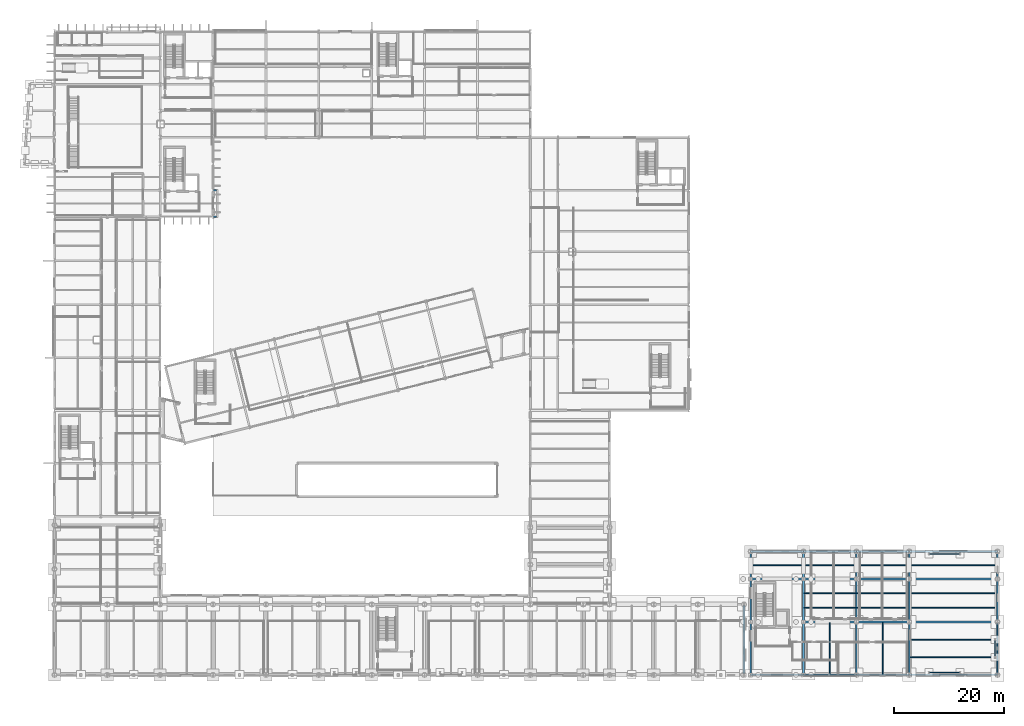
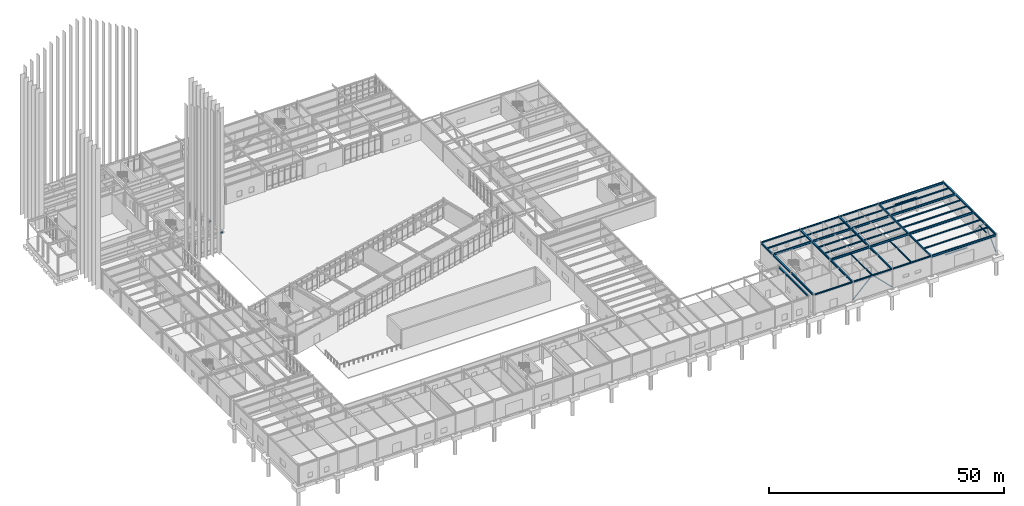
# One storey, part 64 of 109: 50 beams, 4 members.
"""IFC4 building model written with IfcOpenShell, lengths in metres."""

import ifcopenshell
import ifcopenshell.guid

model = None  # the IFC model being written
_history = None  # IfcOwnerHistory: only IFC2X3 demands one
_inside = {}  # id of a spatial element -> (the spatial element, [elements in it])
_under = {}  # id of a project, library or spatial element -> (it, [spatial elements below it])
_declared = {}  # id of a project -> (the project, [libraries it declares])
_typed = {}  # id of a type object -> (the type object, [elements of that type])
_made_of = {}  # id of a material, layer set ... -> (it, [elements and type objects made of it])


def new_model(schema):
    """Start an empty IFC model of exactly this schema.

    Asked for "IFC4X3", IfcOpenShell would pick the latest addendum, in which some entities
    have other attributes; the version numbers below select the first issue.
    IFC2X3 requires an IfcOwnerHistory on every rooted entity: one is made here for all.
    """
    global model, _history
    if schema == "IFC4X3":
        model = ifcopenshell.file(schema_version=(4, 3, 0, 0))
    else:
        model = ifcopenshell.file(schema=schema)
    _inside.clear()
    _under.clear()
    _declared.clear()
    _typed.clear()
    _made_of.clear()
    _history = None
    if model.schema == "IFC2X3":
        org = make("IfcOrganization", Name="unknown")
        user = make(
            "IfcPersonAndOrganization",
            ThePerson=make("IfcPerson", FamilyName="unknown"),
            TheOrganization=org,
        )
        app = make(
            "IfcApplication",
            ApplicationDeveloper=org,
            Version="unknown",
            ApplicationFullName="unknown",
            ApplicationIdentifier="unknown",
        )
        _history = make(
            "IfcOwnerHistory",
            OwningUser=user,
            OwningApplication=app,
            ChangeAction="ADDED",
            CreationDate=0,
        )
    return model


def make(cls, **values):
    """One entity of the class cls with the attributes given. An attribute that is None is left unset."""
    return model.create_entity(
        cls, **{name: value for name, value in values.items() if value is not None}
    )


def rooted(cls, **values):
    """An entity with a GlobalId (a new one), such as an element, a storey or a relation."""
    return make(cls, GlobalId=ifcopenshell.guid.new(), OwnerHistory=_history, **values)


def si_unit(unit_type, name, prefix=None):
    """IfcSIUnit, for example si_unit("LENGTHUNIT", "METRE", prefix="MILLI")."""
    return make("IfcSIUnit", UnitType=unit_type, Prefix=prefix, Name=name)


def assignment(units):
    """IfcUnitAssignment: the units of a project."""
    return None if units is None else make("IfcUnitAssignment", Units=units)


def point(xyz):
    """IfcCartesianPoint."""
    return None if xyz is None else make("IfcCartesianPoint", Coordinates=xyz)


def direction(xyz):
    """IfcDirection."""
    return None if xyz is None else make("IfcDirection", DirectionRatios=xyz)


def frame(location, z_axis=None, x_axis=None):
    """IfcAxis2Placement3D, a coordinate frame: its origin and axes. An axis left out is left unset."""
    return make(
        "IfcAxis2Placement3D",
        Location=point(location),
        Axis=direction(z_axis),
        RefDirection=direction(x_axis),
    )


def frame_2d(location, x_axis=None):
    """IfcAxis2Placement2D, a coordinate frame in the plane: its origin and x axis."""
    return make(
        "IfcAxis2Placement2D", Location=point(location), RefDirection=direction(x_axis)
    )


def origin():
    """The frame at (0, 0, 0) with its axes left unset."""
    return frame((0.0, 0.0, 0.0))


def origin_2d():
    """The frame at (0, 0) in the plane with its x axis left unset."""
    return frame_2d((0.0, 0.0))


def place(relative_to, where):
    """IfcLocalPlacement: puts the frame where relative to a parent placement (None: the world)."""
    return make(
        "IfcLocalPlacement", PlacementRelTo=relative_to, RelativePlacement=where
    )


def context(
    kind, dimensions, precision=None, world=None, true_north=None, identifier=None
):
    """IfcGeometricRepresentationContext, for example the 3D "Model" context."""
    return make(
        "IfcGeometricRepresentationContext",
        ContextIdentifier=identifier,
        ContextType=kind,
        CoordinateSpaceDimension=dimensions,
        Precision=precision,
        WorldCoordinateSystem=world,
        TrueNorth=true_north,
    )


def subcontext(parent, identifier, kind, view, scale=None):
    """IfcGeometricRepresentationSubContext, for example "Body" below "Model"."""
    return make(
        "IfcGeometricRepresentationSubContext",
        ContextIdentifier=identifier,
        ContextType=kind,
        ParentContext=parent,
        TargetScale=scale,
        TargetView=view,
    )


def project(units=None, contexts=None):
    """IfcProject with its units and contexts."""
    return rooted(
        "IfcProject",
        Name="project",
        RepresentationContexts=contexts,
        UnitsInContext=assignment(units),
    )


def spatial(cls, under=None, at=None, **own):
    """A site, building, storey or space (cls), placed at a placement, below another one or the project."""
    s = rooted(cls, ObjectPlacement=at, **own)
    if under is not None:
        _under.setdefault(under.id(), (under, []))[1].append(s)
    return s


def profile(cls, at=None, kind="AREA", **sizes):
    """A parametric profile (cls). Its sizes go by their IFC names, for example OverallWidth=200.0."""
    return make(cls, ProfileType=kind, Position=at, **sizes)


def hollow_circle(**sizes):
    """IfcCircleHollowProfileDef."""
    return profile("IfcCircleHollowProfileDef", **sizes)


def i_section(**sizes):
    """IfcIShapeProfileDef."""
    return profile("IfcIShapeProfileDef", **sizes)


def extrude(swept, where, along, depth):
    """IfcExtrudedAreaSolid: the profile swept, set in the frame where, extruded along a direction by depth."""
    return make(
        "IfcExtrudedAreaSolid",
        SweptArea=swept,
        Position=where,
        ExtrudedDirection=direction(along),
        Depth=depth,
    )


def shape(context_of_items, identifier, shape_type, items):
    """IfcShapeRepresentation: the items that make up one representation, for example the "Body"."""
    return make(
        "IfcShapeRepresentation",
        ContextOfItems=context_of_items,
        RepresentationIdentifier=identifier,
        RepresentationType=shape_type,
        Items=items,
    )


def material(Name=None, Category=None):
    """IfcMaterial."""
    return make("IfcMaterial", Name=Name, Category=Category)


def material_profile(
    of_material, cross_section, Name=None, Category=None, Priority=None
):
    """IfcMaterialProfile: a cross section and its material."""
    return make(
        "IfcMaterialProfile",
        Name=Name,
        Material=of_material,
        Profile=cross_section,
        Priority=Priority,
        Category=Category,
    )


def profile_set(profiles, Name=None, composite=None):
    """IfcMaterialProfileSet."""
    return make(
        "IfcMaterialProfileSet",
        Name=Name,
        MaterialProfiles=profiles,
        CompositeProfile=composite,
    )


def made_of(thing, what):
    """Note that an element or type object is made of a material, layer set ...; save() writes the relation."""
    if what is not None:
        _made_of.setdefault(what.id(), (what, []))[1].append(thing)
    return thing


def type_object(cls, material=None, **own):
    """A type object (cls), such as IfcWallType, which elements share."""
    return made_of(rooted(cls, **own), material)


def element(
    cls,
    number,
    at=None,
    inside=None,
    cuts=None,
    type_object=None,
    material=None,
    context=None,
    identifier="Body",
    shape_type=None,
    held_by="IfcProductDefinitionShape",
    body=None,
    shapes=None,
    **own,
):
    """One element of the class cls, such as IfcWall. Its Tag is "e" and its number.

    at: its placement. inside: the storey or other place that contains it. cuts: it is an
    opening in that element (IfcRelVoidsElement). A single representation is given by context,
    identifier, shape_type and body (its items); several are given by shapes. held_by: the class
    of the entity that holds the representations. save() writes the other relations.
    """
    e = rooted(cls, Tag="e%d" % number, ObjectPlacement=at, **own)
    if body is not None:
        shapes = [shape(context, identifier, shape_type, body)]
    if shapes is not None:
        e.Representation = make(held_by, Representations=shapes)
    if inside is not None:
        _inside.setdefault(inside.id(), (inside, []))[1].append(e)
    if cuts is not None:
        rooted(
            "IfcRelVoidsElement", RelatingBuildingElement=cuts, RelatedOpeningElement=e
        )
    if type_object is not None:
        _typed.setdefault(type_object.id(), (type_object, []))[1].append(e)
    return made_of(e, material)


def aggregate(whole, parts):
    """IfcRelAggregates: a whole, such as a stair, and the parts it consists of."""
    return rooted("IfcRelAggregates", RelatingObject=whole, RelatedObjects=parts)


def save(model, path):
    """Write the relations noted so far, then the file.

    IfcRelAggregates (storeys below a building ...), IfcRelContainedInSpatialStructure (elements
    in a storey), IfcRelDefinesByType, IfcRelAssociatesMaterial and IfcRelDeclares: one each for
    every whole, place, type object, material and project.
    """
    for whole, parts in _under.values():
        aggregate(whole, parts)
    for where, things in _inside.values():
        rooted(
            "IfcRelContainedInSpatialStructure",
            RelatedElements=things,
            RelatingStructure=where,
        )
    for kind, things in _typed.values():
        rooted("IfcRelDefinesByType", RelatedObjects=things, RelatingType=kind)
    for what, things in _made_of.values():
        rooted("IfcRelAssociatesMaterial", RelatedObjects=things, RelatingMaterial=what)
    for by, libraries in _declared.values():
        rooted("IfcRelDeclares", RelatingContext=by, RelatedDefinitions=libraries)
    model.write(path)


model = new_model("IFC4")

# Units and contexts
model_context = context("Model", 3, precision=1e-05, world=origin(), true_north=direction((0.0, 1.0)))
body_context = subcontext(model_context, "Body", "Model", "MODEL_VIEW")
ifc_project = project(units=[si_unit("LENGTHUNIT", "METRE"), si_unit("AREAUNIT", "SQUARE_METRE"), si_unit("VOLUMEUNIT", "CUBIC_METRE"), si_unit("PLANEANGLEUNIT", "RADIAN"), si_unit("MASSUNIT", "GRAM", prefix="KILO")], contexts=[model_context])

# Site, building, storey
site_placement = place(None, origin())
site = spatial("IfcSite", under=ifc_project, at=site_placement, CompositionType="ELEMENT")
building_placement = place(site_placement, origin())
building = spatial("IfcBuilding", under=site, at=building_placement, Name="Nordkorset Police Headquarters", CompositionType="ELEMENT")
storey_placement = place(building_placement, origin())
storey = spatial("IfcBuildingStorey", under=building, at=storey_placement, Name="L00", CompositionType="ELEMENT", Elevation=0.0)

# Beams
ifc_material_1 = material(Name="Steel S355J2", Category="steel")
ifc_material_profile_1 = material_profile(ifc_material_1, i_section(OverallWidth=0.169921875, OverallDepth=0.360107421875, WebThickness=0.008056640625, FlangeThickness=0.0126953125, FilletRadius=0.01806640625, at=origin_2d()), Name="IPE 360")
ifc_profile_set_1 = profile_set([ifc_material_profile_1], Name="Steel S355J2")
beam_type_1 = type_object("IfcBeamType", Name="Beam_IPE_360", PredefinedType="BEAM", material=ifc_profile_set_1)
for number, where, z_axis, x_axis, name in (
    (1, (126.550048828125, 19.89990234375, 4.820068359375), (1.0, 0.0, 0.0), (0.0, 1.0, 0.0), "Composite Floor Beam V6 L00 0-2-1"),
    (2, (140.800048828125, 0.14990234375, 4.820068359375), (0.0, 1.0, 0.0), (-1.0, 0.0, 0.0), "Composite Floor Beam V6 L00 1-0-1"),
    (3, (136.14990234375, 12.199951171875, 4.820068359375), (1.0, 0.0, 0.0), (0.0, 1.0, 0.0), "Composite Floor Beam V6 L00 1-1-1"),
    (4, (136.14990234375, 14.800048828125, 4.820068359375), (1.0, 0.0, 0.0), (0.0, 1.0, 0.0), "Composite Floor Beam V6 L00 1-1-2"),
    (5, (136.14990234375, 19.89990234375, 4.820068359375), (1.0, 0.0, 0.0), (0.0, 1.0, 0.0), "Composite Floor Beam V6 L00 1-2-1"),
    (6, (150.39990234375, 0.14990234375, 4.820068359375), (0.0, 1.0, 0.0), (-1.0, 0.0, 0.0), "Composite Floor Beam V6 L00 2-0-1"),
    (7, (145.75, 12.199951171875, 4.820068359375), (1.0, 0.0, 0.0), (0.0, 1.0, 0.0), "Composite Floor Beam V6 L00 2-1-1"),
    (8, (145.75, 14.800048828125, 4.820068359375), (1.0, 0.0, 0.0), (0.0, 1.0, 0.0), "Composite Floor Beam V6 L00 2-1-2"),
    (9, (145.75, 19.89990234375, 4.820068359375), (1.0, 0.0, 0.0), (0.0, 1.0, 0.0), "Composite Floor Beam V6 L00 2-2-1"),
):
    element("IfcBeam", number, at=place(storey_placement, frame(where, z_axis=z_axis, x_axis=x_axis)), inside=storey, type_object=beam_type_1, Name=name, PredefinedType="BEAM", context=body_context, shape_type="SweptSolid", body=[
        extrude(i_section(OverallWidth=0.169921875, OverallDepth=0.360107421875, WebThickness=0.008056640625, FlangeThickness=0.0126953125, FilletRadius=0.01806640625, at=origin_2d()), origin(), (0.0, 0.0, 1.0), 9.300048828125),
    ])
for number, where, z_axis, x_axis, name in (
    (10, (155.35009765625, 3.199951171875, 4.820068359375), (1.0, 0.0, 0.0), (0.0, 1.0, 0.0), "Composite Floor Beam V6 L00 3-0-1"),
    (11, (155.35009765625, 6.39990234375, 4.820068359375), (1.0, 0.0, 0.0), (0.0, 1.0, 0.0), "Composite Floor Beam V6 L00 3-0-2"),
    (12, (155.35009765625, 12.199951171875, 4.820068359375), (1.0, 0.0, 0.0), (0.0, 1.0, 0.0), "Composite Floor Beam V6 L00 3-1-1"),
    (13, (155.35009765625, 14.800048828125, 4.820068359375), (1.0, 0.0, 0.0), (0.0, 1.0, 0.0), "Composite Floor Beam V6 L00 3-1-2"),
    (14, (155.35009765625, 19.89990234375, 4.820068359375), (1.0, 0.0, 0.0), (0.0, 1.0, 0.0), "Composite Floor Beam V6 L00 3-2-1"),
):
    element("IfcBeam", number, at=place(storey_placement, frame(where, z_axis=z_axis, x_axis=x_axis)), inside=storey, type_object=beam_type_1, Name=name, PredefinedType="BEAM", context=body_context, shape_type="SweptSolid", body=[
        extrude(i_section(OverallWidth=0.169921875, OverallDepth=0.360107421875, WebThickness=0.008056640625, FlangeThickness=0.0126953125, FilletRadius=0.01806640625, at=origin_2d()), origin(), (0.0, 0.0, 1.0), 15.699951171875),
    ])

# Members
ifc_material_2 = material(Name="Steel S355J2", Category="steel")
ifc_material_profile_2 = material_profile(ifc_material_2, hollow_circle(Radius=0.136474609375, WallThickness=0.012451171875, at=origin_2d()), Name="CHS 273x12.5")
ifc_profile_set_2 = profile_set([ifc_material_profile_2], Name="Steel S355J2")
member_type = type_object("IfcMemberType", Name="Brace_CHS_273x12.5", PredefinedType="BRACE", material=ifc_profile_set_2)
member_1_placement = place(storey_placement, frame((136.006591796875, 0.0, 0.199951171875), z_axis=(0.709674611115, 0.0, 0.704529592238), x_axis=(0.0, 1.0, 0.0)))
element("IfcMember", 15, at=member_1_placement, inside=storey, type_object=member_type, Name="Lateral Chevron Brace BF-EXT-V6S L00 D1", PredefinedType="BRACE", context=body_context, shape_type="SweptSolid", body=[
    extrude(hollow_circle(Radius=0.136474609375, WallThickness=0.012451171875, at=origin_2d()), origin(), (0.0, 0.0, 1.0), 6.5009765625),
])
member_2_placement = place(storey_placement, frame((145.59326171875, 0.0, 0.199951171875), z_axis=(-0.709655969555, 0.0, 0.704548369436), x_axis=(0.0, -1.0, 0.0)))
element("IfcMember", 16, at=member_2_placement, inside=storey, type_object=member_type, Name="Lateral Chevron Brace BF-EXT-V6S L00 D2", PredefinedType="BRACE", context=body_context, shape_type="SweptSolid", body=[
    extrude(hollow_circle(Radius=0.136474609375, WallThickness=0.012451171875, at=origin_2d()), origin(), (0.0, 0.0, 1.0), 6.500732421875),
])
member_3_placement = place(storey_placement, frame((171.199951171875, 0.199951171875, 0.199951171875), z_axis=(0.0, 0.694433637576, 0.719556754539), x_axis=(-1.0, 0.0, 0.0)))
element("IfcMember", 17, at=member_3_placement, inside=storey, type_object=member_type, Name="Lateral Chevron Brace BF-EXT-V6E L00 D1", PredefinedType="BRACE", context=body_context, shape_type="SweptSolid", body=[
    extrude(hollow_circle(Radius=0.136474609375, WallThickness=0.012451171875, at=origin_2d()), origin(), (0.0, 0.0, 1.0), 6.365234375),
])
member_4_placement = place(storey_placement, frame((171.199951171875, 9.39990234375, 0.199951171875), z_axis=(0.0, -0.694413777556, 0.719575920623), x_axis=(1.0, 0.0, 0.0)))
element("IfcMember", 18, at=member_4_placement, inside=storey, type_object=member_type, Name="Lateral Chevron Brace BF-EXT-V6E L00 D2", PredefinedType="BRACE", context=body_context, shape_type="SweptSolid", body=[
    extrude(hollow_circle(Radius=0.136474609375, WallThickness=0.012451171875, at=origin_2d()), origin(), (0.0, 0.0, 1.0), 6.364990234375),
])

# Beams
ifc_material_3 = material(Name="Steel S355J2", Category="steel")
ifc_material_profile_3 = material_profile(ifc_material_3, i_section(OverallWidth=0.300048828125, OverallDepth=0.389892578125, WebThickness=0.010986328125, FlangeThickness=0.01904296875, FilletRadius=0.027099609375, at=origin_2d()), Name="HEA 400")
ifc_profile_set_3 = profile_set([ifc_material_profile_3], Name="Steel S355J2")
beam_type_2 = type_object("IfcBeamType", Name="Girder_HEA_400", PredefinedType="USERDEFINED", material=ifc_profile_set_3)
beam_1_placement = place(storey_placement, frame((125.199951171875, 0.199951171875, 4.804931640625), z_axis=(0.0, 1.0, 0.0), x_axis=(-1.0, 0.0, 0.0)))
element("IfcBeam", 19, at=beam_1_placement, inside=storey, type_object=beam_type_2, Name="Girder V7S L00 GY-14-0", ObjectType="GIRDER", PredefinedType="USERDEFINED", context=body_context, shape_type="SweptSolid", body=[
    extrude(i_section(OverallWidth=0.300048828125, OverallDepth=0.389892578125, WebThickness=0.010986328125, FlangeThickness=0.01904296875, FilletRadius=0.027099609375, at=origin_2d()), origin(), (0.0, 0.0, 1.0), 12.400146484375),
])
ifc_material_4 = material(Name="Steel S355J2", Category="steel")
ifc_material_profile_4 = material_profile(ifc_material_4, i_section(OverallWidth=0.300048828125, OverallDepth=0.43994140625, WebThickness=0.011474609375, FlangeThickness=0.02099609375, FilletRadius=0.027099609375, at=origin_2d()), Name="HEA 450")
ifc_profile_set_4 = profile_set([ifc_material_profile_4], Name="Steel S355J2")
beam_type_3 = type_object("IfcBeamType", Name="Girder_HEA_450", PredefinedType="USERDEFINED", material=ifc_profile_set_4)
beam_2_placement = place(storey_placement, frame((126.39990234375, 0.199951171875, 4.780029296875), z_axis=(0.0, 1.0, 0.0), x_axis=(-1.0, 0.0, 0.0)))
element("IfcBeam", 20, at=beam_2_placement, inside=storey, type_object=beam_type_3, Name="Girder V6 L00 GY-0-0", ObjectType="GIRDER", PredefinedType="USERDEFINED", context=body_context, shape_type="SweptSolid", body=[
    extrude(i_section(OverallWidth=0.300048828125, OverallDepth=0.43994140625, WebThickness=0.011474609375, FlangeThickness=0.02099609375, FilletRadius=0.027099609375, at=origin_2d()), origin(), (0.0, 0.0, 1.0), 9.199951171875),
])
beam_3_placement = place(storey_placement, frame((126.39990234375, 9.800048828125, 4.780029296875), z_axis=(0.0, 1.0, 0.0), x_axis=(-1.0, 0.0, 0.0)))
element("IfcBeam", 21, at=beam_3_placement, inside=storey, type_object=beam_type_3, Name="Girder V6 L00 GY-0-1", ObjectType="GIRDER", PredefinedType="USERDEFINED", context=body_context, shape_type="SweptSolid", body=[
    extrude(i_section(OverallWidth=0.300048828125, OverallDepth=0.43994140625, WebThickness=0.011474609375, FlangeThickness=0.02099609375, FilletRadius=0.027099609375, at=origin_2d()), origin(), (0.0, 0.0, 1.0), 7.39990234375),
])
beam_4_placement = place(storey_placement, frame((126.39990234375, 17.60009765625, 4.780029296875), z_axis=(0.0, 1.0, 0.0), x_axis=(-1.0, 0.0, 0.0)))
element("IfcBeam", 22, at=beam_4_placement, inside=storey, type_object=beam_type_3, Name="Girder V6 L00 GY-0-2", ObjectType="GIRDER", PredefinedType="USERDEFINED", context=body_context, shape_type="SweptSolid", body=[
    extrude(i_section(OverallWidth=0.300048828125, OverallDepth=0.43994140625, WebThickness=0.011474609375, FlangeThickness=0.02099609375, FilletRadius=0.027099609375, at=origin_2d()), origin(), (0.0, 0.0, 1.0), 4.599853515625),
])
beam_5_placement = place(storey_placement, frame((136.0, 0.199951171875, 4.780029296875), z_axis=(0.0, 1.0, 0.0), x_axis=(-1.0, 0.0, 0.0)))
element("IfcBeam", 23, at=beam_5_placement, inside=storey, type_object=beam_type_3, Name="Girder V6 L00 GY-1-0", ObjectType="GIRDER", PredefinedType="USERDEFINED", context=body_context, shape_type="SweptSolid", body=[
    extrude(i_section(OverallWidth=0.300048828125, OverallDepth=0.43994140625, WebThickness=0.011474609375, FlangeThickness=0.02099609375, FilletRadius=0.027099609375, at=origin_2d()), origin(), (0.0, 0.0, 1.0), 9.199951171875),
])
beam_6_placement = place(storey_placement, frame((136.0, 9.800048828125, 4.780029296875), z_axis=(0.0, 1.0, 0.0), x_axis=(-1.0, 0.0, 0.0)))
element("IfcBeam", 24, at=beam_6_placement, inside=storey, type_object=beam_type_3, Name="Girder V6 L00 GY-1-1", ObjectType="GIRDER", PredefinedType="USERDEFINED", context=body_context, shape_type="SweptSolid", body=[
    extrude(i_section(OverallWidth=0.300048828125, OverallDepth=0.43994140625, WebThickness=0.011474609375, FlangeThickness=0.02099609375, FilletRadius=0.027099609375, at=origin_2d()), origin(), (0.0, 0.0, 1.0), 7.39990234375),
])
beam_7_placement = place(storey_placement, frame((136.0, 17.60009765625, 4.780029296875), z_axis=(0.0, 1.0, 0.0), x_axis=(-1.0, 0.0, 0.0)))
element("IfcBeam", 25, at=beam_7_placement, inside=storey, type_object=beam_type_3, Name="Girder V6 L00 GY-1-2", ObjectType="GIRDER", PredefinedType="USERDEFINED", context=body_context, shape_type="SweptSolid", body=[
    extrude(i_section(OverallWidth=0.300048828125, OverallDepth=0.43994140625, WebThickness=0.011474609375, FlangeThickness=0.02099609375, FilletRadius=0.027099609375, at=origin_2d()), origin(), (0.0, 0.0, 1.0), 4.599853515625),
])
beam_8_placement = place(storey_placement, frame((145.60009765625, 0.199951171875, 4.780029296875), z_axis=(0.0, 1.0, 0.0), x_axis=(-1.0, 0.0, 0.0)))
element("IfcBeam", 26, at=beam_8_placement, inside=storey, type_object=beam_type_3, Name="Girder V6 L00 GY-2-0", ObjectType="GIRDER", PredefinedType="USERDEFINED", context=body_context, shape_type="SweptSolid", body=[
    extrude(i_section(OverallWidth=0.300048828125, OverallDepth=0.43994140625, WebThickness=0.011474609375, FlangeThickness=0.02099609375, FilletRadius=0.027099609375, at=origin_2d()), origin(), (0.0, 0.0, 1.0), 9.199951171875),
])
beam_9_placement = place(storey_placement, frame((145.60009765625, 9.800048828125, 4.780029296875), z_axis=(0.0, 1.0, 0.0), x_axis=(-1.0, 0.0, 0.0)))
element("IfcBeam", 27, at=beam_9_placement, inside=storey, type_object=beam_type_3, Name="Girder V6 L00 GY-2-1", ObjectType="GIRDER", PredefinedType="USERDEFINED", context=body_context, shape_type="SweptSolid", body=[
    extrude(i_section(OverallWidth=0.300048828125, OverallDepth=0.43994140625, WebThickness=0.011474609375, FlangeThickness=0.02099609375, FilletRadius=0.027099609375, at=origin_2d()), origin(), (0.0, 0.0, 1.0), 7.39990234375),
])
beam_10_placement = place(storey_placement, frame((145.60009765625, 17.60009765625, 4.780029296875), z_axis=(0.0, 1.0, 0.0), x_axis=(-1.0, 0.0, 0.0)))
element("IfcBeam", 28, at=beam_10_placement, inside=storey, type_object=beam_type_3, Name="Girder V6 L00 GY-2-2", ObjectType="GIRDER", PredefinedType="USERDEFINED", context=body_context, shape_type="SweptSolid", body=[
    extrude(i_section(OverallWidth=0.300048828125, OverallDepth=0.43994140625, WebThickness=0.011474609375, FlangeThickness=0.02099609375, FilletRadius=0.027099609375, at=origin_2d()), origin(), (0.0, 0.0, 1.0), 4.599853515625),
])
beam_11_placement = place(storey_placement, frame((155.199951171875, 0.199951171875, 4.780029296875), z_axis=(0.0, 1.0, 0.0), x_axis=(-1.0, 0.0, 0.0)))
element("IfcBeam", 29, at=beam_11_placement, inside=storey, type_object=beam_type_3, Name="Girder V6 L00 GY-3-0", ObjectType="GIRDER", PredefinedType="USERDEFINED", context=body_context, shape_type="SweptSolid", body=[
    extrude(i_section(OverallWidth=0.300048828125, OverallDepth=0.43994140625, WebThickness=0.011474609375, FlangeThickness=0.02099609375, FilletRadius=0.027099609375, at=origin_2d()), origin(), (0.0, 0.0, 1.0), 9.199951171875),
])
beam_12_placement = place(storey_placement, frame((155.199951171875, 9.800048828125, 4.780029296875), z_axis=(0.0, 1.0, 0.0), x_axis=(-1.0, 0.0, 0.0)))
element("IfcBeam", 30, at=beam_12_placement, inside=storey, type_object=beam_type_3, Name="Girder V6 L00 GY-3-1", ObjectType="GIRDER", PredefinedType="USERDEFINED", context=body_context, shape_type="SweptSolid", body=[
    extrude(i_section(OverallWidth=0.300048828125, OverallDepth=0.43994140625, WebThickness=0.011474609375, FlangeThickness=0.02099609375, FilletRadius=0.027099609375, at=origin_2d()), origin(), (0.0, 0.0, 1.0), 7.39990234375),
])
beam_13_placement = place(storey_placement, frame((155.199951171875, 17.60009765625, 4.780029296875), z_axis=(0.0, 1.0, 0.0), x_axis=(-1.0, 0.0, 0.0)))
element("IfcBeam", 31, at=beam_13_placement, inside=storey, type_object=beam_type_3, Name="Girder V6 L00 GY-3-2", ObjectType="GIRDER", PredefinedType="USERDEFINED", context=body_context, shape_type="SweptSolid", body=[
    extrude(i_section(OverallWidth=0.300048828125, OverallDepth=0.43994140625, WebThickness=0.011474609375, FlangeThickness=0.02099609375, FilletRadius=0.027099609375, at=origin_2d()), origin(), (0.0, 0.0, 1.0), 4.599853515625),
])
beam_14_placement = place(storey_placement, frame((171.199951171875, 0.199951171875, 4.780029296875), z_axis=(0.0, 1.0, 0.0), x_axis=(-1.0, 0.0, 0.0)))
element("IfcBeam", 32, at=beam_14_placement, inside=storey, type_object=beam_type_3, Name="Girder V6 L00 GY-4-0", ObjectType="GIRDER", PredefinedType="USERDEFINED", context=body_context, shape_type="SweptSolid", body=[
    extrude(i_section(OverallWidth=0.300048828125, OverallDepth=0.43994140625, WebThickness=0.011474609375, FlangeThickness=0.02099609375, FilletRadius=0.027099609375, at=origin_2d()), origin(), (0.0, 0.0, 1.0), 9.199951171875),
])
beam_15_placement = place(storey_placement, frame((171.199951171875, 9.800048828125, 4.780029296875), z_axis=(0.0, 1.0, 0.0), x_axis=(-1.0, 0.0, 0.0)))
element("IfcBeam", 33, at=beam_15_placement, inside=storey, type_object=beam_type_3, Name="Girder V6 L00 GY-4-1", ObjectType="GIRDER", PredefinedType="USERDEFINED", context=body_context, shape_type="SweptSolid", body=[
    extrude(i_section(OverallWidth=0.300048828125, OverallDepth=0.43994140625, WebThickness=0.011474609375, FlangeThickness=0.02099609375, FilletRadius=0.027099609375, at=origin_2d()), origin(), (0.0, 0.0, 1.0), 7.39990234375),
])
beam_16_placement = place(storey_placement, frame((171.199951171875, 17.60009765625, 4.780029296875), z_axis=(0.0, 1.0, 0.0), x_axis=(-1.0, 0.0, 0.0)))
element("IfcBeam", 34, at=beam_16_placement, inside=storey, type_object=beam_type_3, Name="Girder V6 L00 GY-4-2", ObjectType="GIRDER", PredefinedType="USERDEFINED", context=body_context, shape_type="SweptSolid", body=[
    extrude(i_section(OverallWidth=0.300048828125, OverallDepth=0.43994140625, WebThickness=0.011474609375, FlangeThickness=0.02099609375, FilletRadius=0.027099609375, at=origin_2d()), origin(), (0.0, 0.0, 1.0), 4.599853515625),
])
ifc_material_5 = material(Name="Steel S355J2", Category="steel")
ifc_material_profile_5 = material_profile(ifc_material_5, i_section(OverallWidth=0.300048828125, OverallDepth=0.5400390625, WebThickness=0.012451171875, FlangeThickness=0.02392578125, FilletRadius=0.027099609375, at=origin_2d()), Name="HEA 550")
ifc_profile_set_5 = profile_set([ifc_material_profile_5], Name="Steel S355J2")
beam_type_4 = type_object("IfcBeamType", Name="Girder_HEA_550", PredefinedType="USERDEFINED", material=ifc_profile_set_5)
beam_17_placement = place(storey_placement, frame((155.206787109375, 0.0, 4.72998046875), z_axis=(1.0, 0.0, 0.0), x_axis=(0.0, 1.0, 0.0)))
element("IfcBeam", 35, at=beam_17_placement, inside=storey, type_object=beam_type_4, Name="Girder V6 L00 GX-0-3", ObjectType="GIRDER", PredefinedType="USERDEFINED", context=body_context, shape_type="SweptSolid", body=[
    extrude(i_section(OverallWidth=0.300048828125, OverallDepth=0.5400390625, WebThickness=0.012451171875, FlangeThickness=0.02392578125, FilletRadius=0.027099609375, at=origin_2d()), origin(), (0.0, 0.0, 1.0), 15.986572265625),
])
for number, where, z_axis, x_axis, name in (
    (36, (136.006591796875, 9.60009765625, 4.72998046875), (1.0, 0.0, 0.0), (0.0, 1.0, 0.0), "Girder V6 L00 GX-1-1"),
    (37, (145.606689453125, 9.60009765625, 4.72998046875), (1.0, 0.0, 0.0), (0.0, 1.0, 0.0), "Girder V6 L00 GX-1-2"),
):
    element("IfcBeam", number, at=place(storey_placement, frame(where, z_axis=z_axis, x_axis=x_axis)), inside=storey, type_object=beam_type_4, Name=name, ObjectType="GIRDER", PredefinedType="USERDEFINED", context=body_context, shape_type="SweptSolid", body=[
        extrude(i_section(OverallWidth=0.300048828125, OverallDepth=0.5400390625, WebThickness=0.012451171875, FlangeThickness=0.02392578125, FilletRadius=0.027099609375, at=origin_2d()), origin(), (0.0, 0.0, 1.0), 9.586669921875),
    ])
beam_18_placement = place(storey_placement, frame((155.206787109375, 9.60009765625, 4.72998046875), z_axis=(1.0, 0.0, 0.0), x_axis=(0.0, 1.0, 0.0)))
element("IfcBeam", 38, at=beam_18_placement, inside=storey, type_object=beam_type_4, Name="Girder V6 L00 GX-1-3", ObjectType="GIRDER", PredefinedType="USERDEFINED", context=body_context, shape_type="SweptSolid", body=[
    extrude(i_section(OverallWidth=0.300048828125, OverallDepth=0.5400390625, WebThickness=0.012451171875, FlangeThickness=0.02392578125, FilletRadius=0.027099609375, at=origin_2d()), origin(), (0.0, 0.0, 1.0), 15.986572265625),
])
for number, where, z_axis, x_axis, name in (
    (39, (126.40673828125, 17.39990234375, 4.72998046875), (1.0, 0.0, 0.0), (0.0, 1.0, 0.0), "Girder V6 L00 GX-2-0"),
    (40, (136.006591796875, 17.39990234375, 4.72998046875), (1.0, 0.0, 0.0), (0.0, 1.0, 0.0), "Girder V6 L00 GX-2-1"),
    (41, (145.606689453125, 17.39990234375, 4.72998046875), (1.0, 0.0, 0.0), (0.0, 1.0, 0.0), "Girder V6 L00 GX-2-2"),
):
    element("IfcBeam", number, at=place(storey_placement, frame(where, z_axis=z_axis, x_axis=x_axis)), inside=storey, type_object=beam_type_4, Name=name, ObjectType="GIRDER", PredefinedType="USERDEFINED", context=body_context, shape_type="SweptSolid", body=[
        extrude(i_section(OverallWidth=0.300048828125, OverallDepth=0.5400390625, WebThickness=0.012451171875, FlangeThickness=0.02392578125, FilletRadius=0.027099609375, at=origin_2d()), origin(), (0.0, 0.0, 1.0), 9.586669921875),
    ])
for number, where, z_axis, x_axis, name in (
    (42, (155.206787109375, 17.39990234375, 4.72998046875), (1.0, 0.0, 0.0), (0.0, 1.0, 0.0), "Girder V6 L00 GX-2-3"),
    (43, (155.206787109375, 22.39990234375, 4.72998046875), (1.0, 0.0, 0.0), (0.0, 1.0, 0.0), "Girder V6 L00 GX-3-3"),
):
    element("IfcBeam", number, at=place(storey_placement, frame(where, z_axis=z_axis, x_axis=x_axis)), inside=storey, type_object=beam_type_4, Name=name, ObjectType="GIRDER", PredefinedType="USERDEFINED", context=body_context, shape_type="SweptSolid", body=[
        extrude(i_section(OverallWidth=0.300048828125, OverallDepth=0.5400390625, WebThickness=0.012451171875, FlangeThickness=0.02392578125, FilletRadius=0.027099609375, at=origin_2d()), origin(), (0.0, 0.0, 1.0), 15.986572265625),
    ])
ifc_material_6 = material(Name="Steel S355J2", Category="steel")
ifc_material_profile_6 = material_profile(ifc_material_6, i_section(OverallWidth=0.10009765625, OverallDepth=0.199951171875, WebThickness=0.005615234375, FlangeThickness=0.008544921875, FilletRadius=0.011962890625, at=origin_2d()), Name="IPE 200")
ifc_profile_set_6 = profile_set([ifc_material_profile_6], Name="Steel S355J2")
beam_type_5 = type_object("IfcBeamType", Name="Lintel_IPE_200", PredefinedType="LINTEL", material=ifc_profile_set_6)
for number, where, z_axis, x_axis, name in (
    (44, (158.949951171875, 0.449951171875, 3.550048828125), (1.0, 0.0, 0.0), (0.0, 1.0, 0.0), "Opening Steel Lintel LNT-VG01"),
    (45, (158.949951171875, 21.949951171875, 3.550048828125), (1.0, 0.0, 0.0), (0.0, 1.0, 0.0), "Opening Steel Lintel LNT-VG02"),
):
    element("IfcBeam", number, at=place(storey_placement, frame(where, z_axis=z_axis, x_axis=x_axis)), inside=storey, type_object=beam_type_5, Name=name, PredefinedType="LINTEL", context=body_context, shape_type="SweptSolid", body=[
        extrude(i_section(OverallWidth=0.10009765625, OverallDepth=0.199951171875, WebThickness=0.005615234375, FlangeThickness=0.008544921875, FilletRadius=0.011962890625, at=origin_2d()), origin(), (0.0, 0.0, 1.0), 5.300048828125),
    ])
beam_19_placement = place(storey_placement, frame((170.75, 3.35009765625, 3.449951171875), z_axis=(0.0, 1.0, 0.0), x_axis=(-1.0, 0.0, 0.0)))
element("IfcBeam", 46, at=beam_19_placement, inside=storey, type_object=beam_type_5, Name="Opening Steel Lintel LNT-V6-E", PredefinedType="LINTEL", context=body_context, shape_type="SweptSolid", body=[
    extrude(i_section(OverallWidth=0.10009765625, OverallDepth=0.199951171875, WebThickness=0.005615234375, FlangeThickness=0.008544921875, FilletRadius=0.011962890625, at=origin_2d()), origin(), (0.0, 0.0, 1.0), 2.89990234375),
])
ifc_material_7 = material(Name="Steel S355J2", Category="steel")
ifc_material_profile_7 = material_profile(ifc_material_7, i_section(OverallWidth=0.280029296875, OverallDepth=0.27001953125, WebThickness=0.008056640625, FlangeThickness=0.012939453125, FilletRadius=0.02392578125, at=origin_2d()), Name="HEA 280")
ifc_profile_set_7 = profile_set([ifc_material_profile_7], Name="Steel S355J2")
beam_type_6 = type_object("IfcBeamType", Name="Spandrel_HEA_280", PredefinedType="SPANDREL", material=ifc_profile_set_7)
for number, where, z_axis, x_axis, name in (
    (47, (28.80810546875, 83.199951171875, 4.60009765625), (1.0, 0.0, 0.0), (0.0, 1.0, 0.0), "Facade Fin Outrigger Beam East South 1"),
    (48, (28.80810546875, 88.0, 4.60009765625), (1.0, 0.0, 0.0), (0.0, 1.0, 0.0), "Facade Fin Outrigger Beam East South 2"),
):
    element("IfcBeam", number, at=place(storey_placement, frame(where, z_axis=z_axis, x_axis=x_axis)), inside=storey, type_object=beam_type_6, Name=name, PredefinedType="SPANDREL", context=body_context, shape_type="SweptSolid", body=[
        extrude(i_section(OverallWidth=0.280029296875, OverallDepth=0.27001953125, WebThickness=0.008056640625, FlangeThickness=0.012939453125, FilletRadius=0.02392578125, at=origin_2d()), origin(), (0.0, 0.0, 1.0), 0.601806640625),
    ])
ifc_material_8 = material(Name="Steel S355J2", Category="steel")
ifc_material_profile_8 = material_profile(ifc_material_8, i_section(OverallWidth=0.300048828125, OverallDepth=0.31005859375, WebThickness=0.009033203125, FlangeThickness=0.015380859375, FilletRadius=0.027099609375, at=origin_2d()), Name="HEA 320")
ifc_profile_set_8 = profile_set([ifc_material_profile_8], Name="Steel S355J2")
beam_type_7 = type_object("IfcBeamType", Name="Spandrel_HEA_320", PredefinedType="SPANDREL", material=ifc_profile_set_8)
for number, where, z_axis, x_axis, name in (
    (49, (126.40673828125, 0.0, 4.844970703125), (1.0, 0.0, 0.0), (0.0, 1.0, 0.0), "Girder V6 L00 GX-0-0"),
    (50, (136.006591796875, 0.0, 4.844970703125), (1.0, 0.0, 0.0), (0.0, 1.0, 0.0), "Girder V6 L00 GX-0-1"),
    (51, (145.606689453125, 0.0, 4.844970703125), (1.0, 0.0, 0.0), (0.0, 1.0, 0.0), "Girder V6 L00 GX-0-2"),
    (52, (126.40673828125, 22.39990234375, 4.844970703125), (1.0, 0.0, 0.0), (0.0, 1.0, 0.0), "Girder V6 L00 GX-3-0"),
    (53, (136.006591796875, 22.39990234375, 4.844970703125), (1.0, 0.0, 0.0), (0.0, 1.0, 0.0), "Girder V6 L00 GX-3-1"),
    (54, (145.606689453125, 22.39990234375, 4.844970703125), (1.0, 0.0, 0.0), (0.0, 1.0, 0.0), "Girder V6 L00 GX-3-2"),
):
    element("IfcBeam", number, at=place(storey_placement, frame(where, z_axis=z_axis, x_axis=x_axis)), inside=storey, type_object=beam_type_7, Name=name, PredefinedType="SPANDREL", context=body_context, shape_type="SweptSolid", body=[
        extrude(i_section(OverallWidth=0.300048828125, OverallDepth=0.31005859375, WebThickness=0.009033203125, FlangeThickness=0.015380859375, FilletRadius=0.027099609375, at=origin_2d()), origin(), (0.0, 0.0, 1.0), 9.586669921875),
    ])

save(model, "model.ifc")
